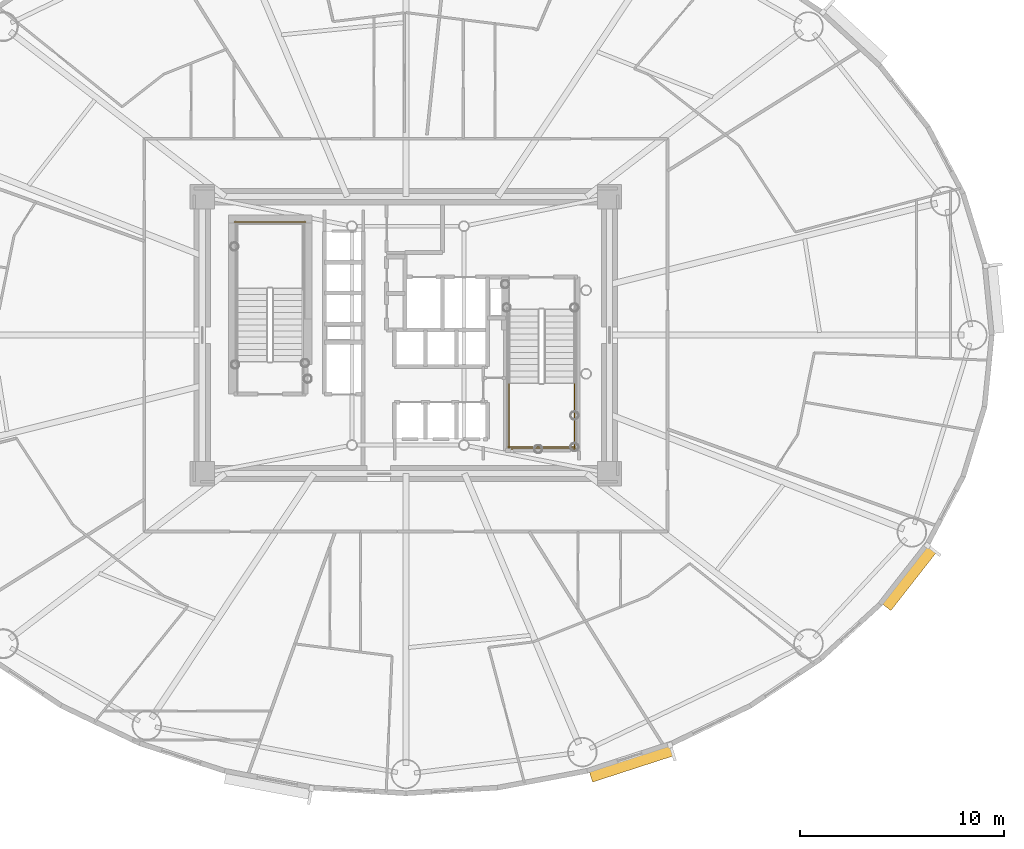
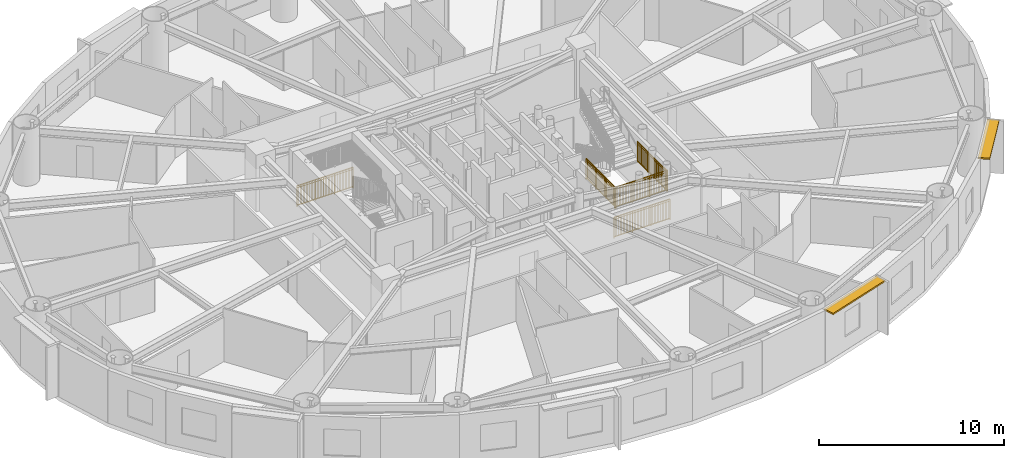
# One storey, part 16 of 19: 5 railings, 2 shading devices.
"""IFC4 building model written with IfcOpenShell, lengths in metres."""

from ifc_helpers import new_model, si_unit, direction, frame, origin, origin_2d, place, context, subcontext, project, spatial, rectangle, extrude, source, transform, mapped, material, layer, layer_set, type_object, element, save


model = new_model("IFC4")

# Units and contexts
model_context = context("Model", 3, precision=1e-05, world=origin(), true_north=direction((0.0, 1.0)))
body_context = subcontext(model_context, "Body", "Model", "MODEL_VIEW")
ifc_project = project(units=[si_unit("LENGTHUNIT", "METRE"), si_unit("AREAUNIT", "SQUARE_METRE"), si_unit("VOLUMEUNIT", "CUBIC_METRE"), si_unit("PLANEANGLEUNIT", "RADIAN"), si_unit("MASSUNIT", "GRAM", prefix="KILO")], contexts=[model_context])

# Site, building, storey
site_placement = place(None, origin())
site = spatial("IfcSite", under=ifc_project, at=site_placement, CompositionType="ELEMENT")
building_placement = place(site_placement, origin())
building = spatial("IfcBuilding", under=site, at=building_placement, Name="Linh Dai School and Residence Tower", CompositionType="ELEMENT")
storey_placement = place(building_placement, frame((0.0, 0.0, 119.699951171875)))
storey = spatial("IfcBuildingStorey", under=building, at=storey_placement, Name="L28", CompositionType="ELEMENT", Elevation=119.699951171875)

# Shading devices
ifc_material_1 = material(Name="Terracotta Ceramic Sunshade", Category="masonry")
ifc_layer = layer(ifc_material_1, 0.10009765625)
ifc_layer_set = layer_set([ifc_layer], Name="Terracotta Ceramic Sunshade")
shading_device_type = type_object("IfcShadingDeviceType", Name="SHD-TC-650", PredefinedType="USERDEFINED", material=ifc_layer_set)
shared_shape_1 = source(origin(), body_context, "Body", "SweptSolid", [
    extrude(rectangle(XDim=4.212890625, YDim=0.64990234375, at=origin_2d()), origin(), (0.0, 0.0, 1.0), 0.10009765625),
])
shading_device_1_placement = place(storey_placement, frame((47.07470703125, 6.004638671875, 3.3798828125), z_axis=(0.0, 0.0, 1.0), x_axis=(-0.951217089442, -0.308522363457, 0.0)))
element("IfcShadingDevice", 1, at=shading_device_1_placement, inside=storey, type_object=shading_device_type, Name="L28 Terracotta Horizontal Sunshade Band 33", ObjectType="SUNSHADE", PredefinedType="USERDEFINED", context=body_context, shape_type="MappedRepresentation", body=[
    mapped(shared_shape_1, transform((0.0, 0.0, 0.0), x_axis=(1.0, 0.0, 0.0), y_axis=(0.0, 1.0, 0.0), z_axis=(0.0, 0.0, 1.0), scale=1.0)),
])
shared_shape_2 = source(origin(), body_context, "Body", "SweptSolid", [
    extrude(rectangle(XDim=3.67041015625, YDim=0.64990234375, at=origin_2d()), origin(), (0.0, 0.0, 1.0), 0.10009765625),
])
shading_device_2_placement = place(storey_placement, frame((60.691650390625, 15.11328125, 3.3798828125), z_axis=(0.0, 0.0, 1.0), x_axis=(-0.616305017583, -0.787507539838, 0.0)))
element("IfcShadingDevice", 2, at=shading_device_2_placement, inside=storey, type_object=shading_device_type, Name="L28 Terracotta Horizontal Sunshade Band 37", ObjectType="SUNSHADE", PredefinedType="USERDEFINED", context=body_context, shape_type="MappedRepresentation", body=[
    mapped(shared_shape_2, transform((0.0, 0.0, 0.0), x_axis=(1.0, 0.0, 0.0), y_axis=(0.0, 1.0, 0.0), z_axis=(0.0, 0.0, 1.0), scale=1.0)),
])

# Railings
ifc_material_2 = material(Name="Structural Steel S355JR", Category="steel")
railing_type = type_object("IfcRailingType", Name="RL-ST-GUARD-1400", PredefinedType="GUARDRAIL", material=ifc_material_2)
shared_shape_3 = source(origin(), body_context, "Body", "SweptSolid", [
    extrude(rectangle(XDim=0.048095703125, YDim=0.048095703125, at=origin_2d()), frame((0.0, 0.0, 1.3759765625), z_axis=(-1.0, 0.0, 0.0), x_axis=(0.0, -1.0, 0.0)), (0.0, 0.0, 1.0), 3.5),
    extrude(rectangle(XDim=0.048095703125, YDim=0.048095703125, at=origin_2d()), frame((0.0, 0.0, 0.10009765625), z_axis=(-1.0, 0.0, 0.0), x_axis=(0.0, -1.0, 0.0)), (0.0, 0.0, 1.0), 3.5),
    extrude(rectangle(XDim=0.030029296875, YDim=0.030029296875, at=origin_2d()), frame((0.0, 0.0, 1.239990234375), z_axis=(-1.0, 0.0, 0.0), x_axis=(0.0, -1.0, 0.0)), (0.0, 0.0, 1.0), 3.5),
    extrude(rectangle(XDim=0.02001953125, YDim=0.02001953125, at=origin_2d()), frame((-0.09716796875, 0.0, 0.10009765625)), (0.0, 0.0, 1.0), 1.251708984375),
    extrude(rectangle(XDim=0.02001953125, YDim=0.02001953125, at=origin_2d()), frame((-0.1943359375, 0.0, 0.10009765625)), (0.0, 0.0, 1.0), 1.251708984375),
    extrude(rectangle(XDim=0.02001953125, YDim=0.02001953125, at=origin_2d()), frame((-0.291748046875, 0.0, 0.10009765625)), (0.0, 0.0, 1.0), 1.251708984375),
    extrude(rectangle(XDim=0.02001953125, YDim=0.02001953125, at=origin_2d()), frame((-0.388916015625, 0.0, 0.10009765625)), (0.0, 0.0, 1.0), 1.251708984375),
    extrude(rectangle(XDim=0.02001953125, YDim=0.02001953125, at=origin_2d()), frame((-0.486083984375, 0.0, 0.10009765625)), (0.0, 0.0, 1.0), 1.251708984375),
    extrude(rectangle(XDim=0.02001953125, YDim=0.02001953125, at=origin_2d()), frame((-0.583251953125, 0.0, 0.10009765625)), (0.0, 0.0, 1.0), 1.251708984375),
    extrude(rectangle(XDim=0.02001953125, YDim=0.02001953125, at=origin_2d()), frame((-0.6806640625, 0.0, 0.10009765625)), (0.0, 0.0, 1.0), 1.251708984375),
    extrude(rectangle(XDim=0.02001953125, YDim=0.02001953125, at=origin_2d()), frame((-0.77783203125, 0.0, 0.10009765625)), (0.0, 0.0, 1.0), 1.251708984375),
    extrude(rectangle(XDim=0.02001953125, YDim=0.02001953125, at=origin_2d()), frame((-0.875, 0.0, 0.10009765625)), (0.0, 0.0, 1.0), 1.251708984375),
    extrude(rectangle(XDim=0.02001953125, YDim=0.02001953125, at=origin_2d()), frame((-0.97216796875, 0.0, 0.10009765625)), (0.0, 0.0, 1.0), 1.251708984375),
    extrude(rectangle(XDim=0.02001953125, YDim=0.02001953125, at=origin_2d()), frame((-1.0693359375, 0.0, 0.10009765625)), (0.0, 0.0, 1.0), 1.251708984375),
    extrude(rectangle(XDim=0.02001953125, YDim=0.02001953125, at=origin_2d()), frame((-1.263916015625, 0.0, 0.10009765625)), (0.0, 0.0, 1.0), 1.251708984375),
    extrude(rectangle(XDim=0.02001953125, YDim=0.02001953125, at=origin_2d()), frame((-1.361083984375, 0.0, 0.10009765625)), (0.0, 0.0, 1.0), 1.251708984375),
    extrude(rectangle(XDim=0.02001953125, YDim=0.02001953125, at=origin_2d()), frame((-1.458251953125, 0.0, 0.10009765625)), (0.0, 0.0, 1.0), 1.251708984375),
    extrude(rectangle(XDim=0.02001953125, YDim=0.02001953125, at=origin_2d()), frame((-1.5556640625, 0.0, 0.10009765625)), (0.0, 0.0, 1.0), 1.251708984375),
    extrude(rectangle(XDim=0.02001953125, YDim=0.02001953125, at=origin_2d()), frame((-1.65283203125, 0.0, 0.10009765625)), (0.0, 0.0, 1.0), 1.251708984375),
    extrude(rectangle(XDim=0.02001953125, YDim=0.02001953125, at=origin_2d()), frame((-1.75, 0.0, 0.10009765625)), (0.0, 0.0, 1.0), 1.251708984375),
    extrude(rectangle(XDim=0.02001953125, YDim=0.02001953125, at=origin_2d()), frame((-1.84716796875, 0.0, 0.10009765625)), (0.0, 0.0, 1.0), 1.251708984375),
    extrude(rectangle(XDim=0.02001953125, YDim=0.02001953125, at=origin_2d()), frame((-1.9443359375, 0.0, 0.10009765625)), (0.0, 0.0, 1.0), 1.251708984375),
    extrude(rectangle(XDim=0.02001953125, YDim=0.02001953125, at=origin_2d()), frame((-2.041748046875, 0.0, 0.10009765625)), (0.0, 0.0, 1.0), 1.251708984375),
    extrude(rectangle(XDim=0.02001953125, YDim=0.02001953125, at=origin_2d()), frame((-2.138916015625, 0.0, 0.10009765625)), (0.0, 0.0, 1.0), 1.251708984375),
    extrude(rectangle(XDim=0.02001953125, YDim=0.02001953125, at=origin_2d()), frame((-2.236083984375, 0.0, 0.10009765625)), (0.0, 0.0, 1.0), 1.251708984375),
    extrude(rectangle(XDim=0.02001953125, YDim=0.02001953125, at=origin_2d()), frame((-2.4306640625, 0.0, 0.10009765625)), (0.0, 0.0, 1.0), 1.251708984375),
    extrude(rectangle(XDim=0.02001953125, YDim=0.02001953125, at=origin_2d()), frame((-2.52783203125, 0.0, 0.10009765625)), (0.0, 0.0, 1.0), 1.251708984375),
    extrude(rectangle(XDim=0.02001953125, YDim=0.02001953125, at=origin_2d()), frame((-2.625, 0.0, 0.10009765625)), (0.0, 0.0, 1.0), 1.251708984375),
    extrude(rectangle(XDim=0.02001953125, YDim=0.02001953125, at=origin_2d()), frame((-2.72216796875, 0.0, 0.10009765625)), (0.0, 0.0, 1.0), 1.251708984375),
    extrude(rectangle(XDim=0.02001953125, YDim=0.02001953125, at=origin_2d()), frame((-2.8193359375, 0.0, 0.10009765625)), (0.0, 0.0, 1.0), 1.251708984375),
    extrude(rectangle(XDim=0.02001953125, YDim=0.02001953125, at=origin_2d()), frame((-2.916748046875, 0.0, 0.10009765625)), (0.0, 0.0, 1.0), 1.251708984375),
    extrude(rectangle(XDim=0.02001953125, YDim=0.02001953125, at=origin_2d()), frame((-3.013916015625, 0.0, 0.10009765625)), (0.0, 0.0, 1.0), 1.251708984375),
    extrude(rectangle(XDim=0.02001953125, YDim=0.02001953125, at=origin_2d()), frame((-3.111083984375, 0.0, 0.10009765625)), (0.0, 0.0, 1.0), 1.251708984375),
    extrude(rectangle(XDim=0.02001953125, YDim=0.02001953125, at=origin_2d()), frame((-3.208251953125, 0.0, 0.10009765625)), (0.0, 0.0, 1.0), 1.251708984375),
    extrude(rectangle(XDim=0.02001953125, YDim=0.02001953125, at=origin_2d()), frame((-3.3056640625, 0.0, 0.10009765625)), (0.0, 0.0, 1.0), 1.251708984375),
    extrude(rectangle(XDim=0.02001953125, YDim=0.02001953125, at=origin_2d()), frame((-3.40283203125, 0.0, 0.10009765625)), (0.0, 0.0, 1.0), 1.251708984375),
    extrude(rectangle(XDim=0.0419921875, YDim=0.0419921875, at=origin_2d()), origin(), (0.0, 0.0, 1.0), 1.3759765625),
    extrude(rectangle(XDim=0.0419921875, YDim=0.0419921875, at=origin_2d()), frame((-1.166748046875, 0.0, 0.0)), (0.0, 0.0, 1.0), 1.3759765625),
    extrude(rectangle(XDim=0.0419921875, YDim=0.0419921875, at=origin_2d()), frame((-2.333251953125, 0.0, 0.0)), (0.0, 0.0, 1.0), 1.3759765625),
    extrude(rectangle(XDim=0.0419921875, YDim=0.0419921875, at=origin_2d()), frame((-3.5, 0.0, 0.0)), (0.0, 0.0, 1.0), 1.3759765625),
])
railing_1_placement = place(storey_placement, frame((31.080078125, 32.550048828125, 0.0)))
element("IfcRailing", 3, at=railing_1_placement, inside=storey, type_object=railing_type, Name="L28 ST1 stair guard 12", PredefinedType="GUARDRAIL", context=body_context, shape_type="MappedRepresentation", body=[
    mapped(shared_shape_3, transform((0.0, 0.0, 0.0), x_axis=(1.0, 0.0, 0.0), y_axis=(0.0, 1.0, 0.0), z_axis=(0.0, 0.0, 1.0), scale=1.0)),
])
shared_shape_4 = source(origin(), body_context, "Body", "SweptSolid", [
    extrude(rectangle(XDim=0.048095703125, YDim=0.048095703125, at=origin_2d()), frame((0.0, 0.0, 1.3759765625), z_axis=(1.0, 0.0, 0.0), x_axis=(0.0, 1.0, 0.0)), (0.0, 0.0, 1.0), 3.300048828125),
    extrude(rectangle(XDim=0.048095703125, YDim=0.048095703125, at=origin_2d()), frame((0.0, 0.0, 0.10009765625), z_axis=(1.0, 0.0, 0.0), x_axis=(0.0, 1.0, 0.0)), (0.0, 0.0, 1.0), 3.300048828125),
    extrude(rectangle(XDim=0.030029296875, YDim=0.030029296875, at=origin_2d()), frame((0.0, 0.0, 1.239990234375), z_axis=(1.0, 0.0, 0.0), x_axis=(0.0, 1.0, 0.0)), (0.0, 0.0, 1.0), 3.300048828125),
    extrude(rectangle(XDim=0.02001953125, YDim=0.02001953125, at=origin_2d()), frame((0.09716796875, 0.0, 0.10009765625)), (0.0, 0.0, 1.0), 1.251708984375),
    extrude(rectangle(XDim=0.02001953125, YDim=0.02001953125, at=origin_2d()), frame((0.194091796875, 0.0, 0.10009765625)), (0.0, 0.0, 1.0), 1.251708984375),
    extrude(rectangle(XDim=0.02001953125, YDim=0.02001953125, at=origin_2d()), frame((0.291259765625, 0.0, 0.10009765625)), (0.0, 0.0, 1.0), 1.251708984375),
    extrude(rectangle(XDim=0.02001953125, YDim=0.02001953125, at=origin_2d()), frame((0.38818359375, 0.0, 0.10009765625)), (0.0, 0.0, 1.0), 1.251708984375),
    extrude(rectangle(XDim=0.02001953125, YDim=0.02001953125, at=origin_2d()), frame((0.4853515625, 0.0, 0.10009765625)), (0.0, 0.0, 1.0), 1.251708984375),
    extrude(rectangle(XDim=0.02001953125, YDim=0.02001953125, at=origin_2d()), frame((0.582275390625, 0.0, 0.10009765625)), (0.0, 0.0, 1.0), 1.251708984375),
    extrude(rectangle(XDim=0.02001953125, YDim=0.02001953125, at=origin_2d()), frame((0.679443359375, 0.0, 0.10009765625)), (0.0, 0.0, 1.0), 1.251708984375),
    extrude(rectangle(XDim=0.02001953125, YDim=0.02001953125, at=origin_2d()), frame((0.7763671875, 0.0, 0.10009765625)), (0.0, 0.0, 1.0), 1.251708984375),
    extrude(rectangle(XDim=0.02001953125, YDim=0.02001953125, at=origin_2d()), frame((0.87353515625, 0.0, 0.10009765625)), (0.0, 0.0, 1.0), 1.251708984375),
    extrude(rectangle(XDim=0.02001953125, YDim=0.02001953125, at=origin_2d()), frame((0.970703125, 0.0, 0.10009765625)), (0.0, 0.0, 1.0), 1.251708984375),
    extrude(rectangle(XDim=0.02001953125, YDim=0.02001953125, at=origin_2d()), frame((1.164794921875, 0.0, 0.10009765625)), (0.0, 0.0, 1.0), 1.251708984375),
    extrude(rectangle(XDim=0.02001953125, YDim=0.02001953125, at=origin_2d()), frame((1.26171875, 0.0, 0.10009765625)), (0.0, 0.0, 1.0), 1.251708984375),
    extrude(rectangle(XDim=0.02001953125, YDim=0.02001953125, at=origin_2d()), frame((1.35888671875, 0.0, 0.10009765625)), (0.0, 0.0, 1.0), 1.251708984375),
    extrude(rectangle(XDim=0.02001953125, YDim=0.02001953125, at=origin_2d()), frame((1.455810546875, 0.0, 0.10009765625)), (0.0, 0.0, 1.0), 1.251708984375),
    extrude(rectangle(XDim=0.02001953125, YDim=0.02001953125, at=origin_2d()), frame((1.552978515625, 0.0, 0.10009765625)), (0.0, 0.0, 1.0), 1.251708984375),
    extrude(rectangle(XDim=0.02001953125, YDim=0.02001953125, at=origin_2d()), frame((1.64990234375, 0.0, 0.10009765625)), (0.0, 0.0, 1.0), 1.251708984375),
    extrude(rectangle(XDim=0.02001953125, YDim=0.02001953125, at=origin_2d()), frame((1.7470703125, 0.0, 0.10009765625)), (0.0, 0.0, 1.0), 1.251708984375),
    extrude(rectangle(XDim=0.02001953125, YDim=0.02001953125, at=origin_2d()), frame((1.84423828125, 0.0, 0.10009765625)), (0.0, 0.0, 1.0), 1.251708984375),
    extrude(rectangle(XDim=0.02001953125, YDim=0.02001953125, at=origin_2d()), frame((1.941162109375, 0.0, 0.10009765625)), (0.0, 0.0, 1.0), 1.251708984375),
    extrude(rectangle(XDim=0.02001953125, YDim=0.02001953125, at=origin_2d()), frame((2.038330078125, 0.0, 0.10009765625)), (0.0, 0.0, 1.0), 1.251708984375),
    extrude(rectangle(XDim=0.02001953125, YDim=0.02001953125, at=origin_2d()), frame((2.13525390625, 0.0, 0.10009765625)), (0.0, 0.0, 1.0), 1.251708984375),
    extrude(rectangle(XDim=0.02001953125, YDim=0.02001953125, at=origin_2d()), frame((2.329345703125, 0.0, 0.10009765625)), (0.0, 0.0, 1.0), 1.251708984375),
    extrude(rectangle(XDim=0.02001953125, YDim=0.02001953125, at=origin_2d()), frame((2.426513671875, 0.0, 0.10009765625)), (0.0, 0.0, 1.0), 1.251708984375),
    extrude(rectangle(XDim=0.02001953125, YDim=0.02001953125, at=origin_2d()), frame((2.523681640625, 0.0, 0.10009765625)), (0.0, 0.0, 1.0), 1.251708984375),
    extrude(rectangle(XDim=0.02001953125, YDim=0.02001953125, at=origin_2d()), frame((2.62060546875, 0.0, 0.10009765625)), (0.0, 0.0, 1.0), 1.251708984375),
    extrude(rectangle(XDim=0.02001953125, YDim=0.02001953125, at=origin_2d()), frame((2.7177734375, 0.0, 0.10009765625)), (0.0, 0.0, 1.0), 1.251708984375),
    extrude(rectangle(XDim=0.02001953125, YDim=0.02001953125, at=origin_2d()), frame((2.814697265625, 0.0, 0.10009765625)), (0.0, 0.0, 1.0), 1.251708984375),
    extrude(rectangle(XDim=0.02001953125, YDim=0.02001953125, at=origin_2d()), frame((2.911865234375, 0.0, 0.10009765625)), (0.0, 0.0, 1.0), 1.251708984375),
    extrude(rectangle(XDim=0.02001953125, YDim=0.02001953125, at=origin_2d()), frame((3.0087890625, 0.0, 0.10009765625)), (0.0, 0.0, 1.0), 1.251708984375),
    extrude(rectangle(XDim=0.02001953125, YDim=0.02001953125, at=origin_2d()), frame((3.10595703125, 0.0, 0.10009765625)), (0.0, 0.0, 1.0), 1.251708984375),
    extrude(rectangle(XDim=0.02001953125, YDim=0.02001953125, at=origin_2d()), frame((3.202880859375, 0.0, 0.10009765625)), (0.0, 0.0, 1.0), 1.251708984375),
    extrude(rectangle(XDim=0.0419921875, YDim=0.0419921875, at=origin_2d()), origin(), (0.0, 0.0, 1.0), 1.3759765625),
    extrude(rectangle(XDim=0.0419921875, YDim=0.0419921875, at=origin_2d()), frame((1.10009765625, 0.0, 0.0)), (0.0, 0.0, 1.0), 1.3759765625),
    extrude(rectangle(XDim=0.0419921875, YDim=0.0419921875, at=origin_2d()), frame((2.199951171875, 0.0, 0.0)), (0.0, 0.0, 1.0), 1.3759765625),
    extrude(rectangle(XDim=0.0419921875, YDim=0.0419921875, at=origin_2d()), frame((3.300048828125, 0.0, 0.0)), (0.0, 0.0, 1.0), 1.3759765625),
])
railing_2_placement = place(storey_placement, frame((41.02001953125, 21.5, 1.875)))
element("IfcRailing", 4, at=railing_2_placement, inside=storey, type_object=railing_type, Name="L28 ST2 stair guard 5", PredefinedType="GUARDRAIL", context=body_context, shape_type="MappedRepresentation", body=[
    mapped(shared_shape_4, transform((0.0, 0.0, 0.0), x_axis=(1.0, 0.0, 0.0), y_axis=(0.0, 1.0, 0.0), z_axis=(0.0, 0.0, 1.0), scale=1.0)),
])
shared_shape_5 = source(origin(), body_context, "Body", "SweptSolid", [
    extrude(rectangle(XDim=0.048095703125, YDim=0.048095703125, at=origin_2d()), frame((0.0, 0.0, 1.3759765625), z_axis=(1.0, 0.0, 0.0), x_axis=(0.0, 1.0, 0.0)), (0.0, 0.0, 1.0), 3.5),
    extrude(rectangle(XDim=0.048095703125, YDim=0.048095703125, at=origin_2d()), frame((0.0, 0.0, 0.10009765625), z_axis=(1.0, 0.0, 0.0), x_axis=(0.0, 1.0, 0.0)), (0.0, 0.0, 1.0), 3.5),
    extrude(rectangle(XDim=0.030029296875, YDim=0.030029296875, at=origin_2d()), frame((0.0, 0.0, 1.239990234375), z_axis=(1.0, 0.0, 0.0), x_axis=(0.0, 1.0, 0.0)), (0.0, 0.0, 1.0), 3.5),
    extrude(rectangle(XDim=0.02001953125, YDim=0.02001953125, at=origin_2d()), frame((0.09716796875, 0.0, 0.10009765625)), (0.0, 0.0, 1.0), 1.251708984375),
    extrude(rectangle(XDim=0.02001953125, YDim=0.02001953125, at=origin_2d()), frame((0.1943359375, 0.0, 0.10009765625)), (0.0, 0.0, 1.0), 1.251708984375),
    extrude(rectangle(XDim=0.02001953125, YDim=0.02001953125, at=origin_2d()), frame((0.291748046875, 0.0, 0.10009765625)), (0.0, 0.0, 1.0), 1.251708984375),
    extrude(rectangle(XDim=0.02001953125, YDim=0.02001953125, at=origin_2d()), frame((0.388916015625, 0.0, 0.10009765625)), (0.0, 0.0, 1.0), 1.251708984375),
    extrude(rectangle(XDim=0.02001953125, YDim=0.02001953125, at=origin_2d()), frame((0.486083984375, 0.0, 0.10009765625)), (0.0, 0.0, 1.0), 1.251708984375),
    extrude(rectangle(XDim=0.02001953125, YDim=0.02001953125, at=origin_2d()), frame((0.583251953125, 0.0, 0.10009765625)), (0.0, 0.0, 1.0), 1.251708984375),
    extrude(rectangle(XDim=0.02001953125, YDim=0.02001953125, at=origin_2d()), frame((0.6806640625, 0.0, 0.10009765625)), (0.0, 0.0, 1.0), 1.251708984375),
    extrude(rectangle(XDim=0.02001953125, YDim=0.02001953125, at=origin_2d()), frame((0.77783203125, 0.0, 0.10009765625)), (0.0, 0.0, 1.0), 1.251708984375),
    extrude(rectangle(XDim=0.02001953125, YDim=0.02001953125, at=origin_2d()), frame((0.875, 0.0, 0.10009765625)), (0.0, 0.0, 1.0), 1.251708984375),
    extrude(rectangle(XDim=0.02001953125, YDim=0.02001953125, at=origin_2d()), frame((0.97216796875, 0.0, 0.10009765625)), (0.0, 0.0, 1.0), 1.251708984375),
    extrude(rectangle(XDim=0.02001953125, YDim=0.02001953125, at=origin_2d()), frame((1.0693359375, 0.0, 0.10009765625)), (0.0, 0.0, 1.0), 1.251708984375),
    extrude(rectangle(XDim=0.02001953125, YDim=0.02001953125, at=origin_2d()), frame((1.263916015625, 0.0, 0.10009765625)), (0.0, 0.0, 1.0), 1.251708984375),
    extrude(rectangle(XDim=0.02001953125, YDim=0.02001953125, at=origin_2d()), frame((1.361083984375, 0.0, 0.10009765625)), (0.0, 0.0, 1.0), 1.251708984375),
    extrude(rectangle(XDim=0.02001953125, YDim=0.02001953125, at=origin_2d()), frame((1.458251953125, 0.0, 0.10009765625)), (0.0, 0.0, 1.0), 1.251708984375),
    extrude(rectangle(XDim=0.02001953125, YDim=0.02001953125, at=origin_2d()), frame((1.5556640625, 0.0, 0.10009765625)), (0.0, 0.0, 1.0), 1.251708984375),
    extrude(rectangle(XDim=0.02001953125, YDim=0.02001953125, at=origin_2d()), frame((1.65283203125, 0.0, 0.10009765625)), (0.0, 0.0, 1.0), 1.251708984375),
    extrude(rectangle(XDim=0.02001953125, YDim=0.02001953125, at=origin_2d()), frame((1.75, 0.0, 0.10009765625)), (0.0, 0.0, 1.0), 1.251708984375),
    extrude(rectangle(XDim=0.02001953125, YDim=0.02001953125, at=origin_2d()), frame((1.84716796875, 0.0, 0.10009765625)), (0.0, 0.0, 1.0), 1.251708984375),
    extrude(rectangle(XDim=0.02001953125, YDim=0.02001953125, at=origin_2d()), frame((1.9443359375, 0.0, 0.10009765625)), (0.0, 0.0, 1.0), 1.251708984375),
    extrude(rectangle(XDim=0.02001953125, YDim=0.02001953125, at=origin_2d()), frame((2.041748046875, 0.0, 0.10009765625)), (0.0, 0.0, 1.0), 1.251708984375),
    extrude(rectangle(XDim=0.02001953125, YDim=0.02001953125, at=origin_2d()), frame((2.138916015625, 0.0, 0.10009765625)), (0.0, 0.0, 1.0), 1.251708984375),
    extrude(rectangle(XDim=0.02001953125, YDim=0.02001953125, at=origin_2d()), frame((2.236083984375, 0.0, 0.10009765625)), (0.0, 0.0, 1.0), 1.251708984375),
    extrude(rectangle(XDim=0.02001953125, YDim=0.02001953125, at=origin_2d()), frame((2.4306640625, 0.0, 0.10009765625)), (0.0, 0.0, 1.0), 1.251708984375),
    extrude(rectangle(XDim=0.02001953125, YDim=0.02001953125, at=origin_2d()), frame((2.52783203125, 0.0, 0.10009765625)), (0.0, 0.0, 1.0), 1.251708984375),
    extrude(rectangle(XDim=0.02001953125, YDim=0.02001953125, at=origin_2d()), frame((2.625, 0.0, 0.10009765625)), (0.0, 0.0, 1.0), 1.251708984375),
    extrude(rectangle(XDim=0.02001953125, YDim=0.02001953125, at=origin_2d()), frame((2.72216796875, 0.0, 0.10009765625)), (0.0, 0.0, 1.0), 1.251708984375),
    extrude(rectangle(XDim=0.02001953125, YDim=0.02001953125, at=origin_2d()), frame((2.8193359375, 0.0, 0.10009765625)), (0.0, 0.0, 1.0), 1.251708984375),
    extrude(rectangle(XDim=0.02001953125, YDim=0.02001953125, at=origin_2d()), frame((2.916748046875, 0.0, 0.10009765625)), (0.0, 0.0, 1.0), 1.251708984375),
    extrude(rectangle(XDim=0.02001953125, YDim=0.02001953125, at=origin_2d()), frame((3.013916015625, 0.0, 0.10009765625)), (0.0, 0.0, 1.0), 1.251708984375),
    extrude(rectangle(XDim=0.02001953125, YDim=0.02001953125, at=origin_2d()), frame((3.111083984375, 0.0, 0.10009765625)), (0.0, 0.0, 1.0), 1.251708984375),
    extrude(rectangle(XDim=0.02001953125, YDim=0.02001953125, at=origin_2d()), frame((3.208251953125, 0.0, 0.10009765625)), (0.0, 0.0, 1.0), 1.251708984375),
    extrude(rectangle(XDim=0.02001953125, YDim=0.02001953125, at=origin_2d()), frame((3.3056640625, 0.0, 0.10009765625)), (0.0, 0.0, 1.0), 1.251708984375),
    extrude(rectangle(XDim=0.02001953125, YDim=0.02001953125, at=origin_2d()), frame((3.40283203125, 0.0, 0.10009765625)), (0.0, 0.0, 1.0), 1.251708984375),
    extrude(rectangle(XDim=0.0419921875, YDim=0.0419921875, at=origin_2d()), origin(), (0.0, 0.0, 1.0), 1.3759765625),
    extrude(rectangle(XDim=0.0419921875, YDim=0.0419921875, at=origin_2d()), frame((1.166748046875, 0.0, 0.0)), (0.0, 0.0, 1.0), 1.3759765625),
    extrude(rectangle(XDim=0.0419921875, YDim=0.0419921875, at=origin_2d()), frame((2.333251953125, 0.0, 0.0)), (0.0, 0.0, 1.0), 1.3759765625),
    extrude(rectangle(XDim=0.0419921875, YDim=0.0419921875, at=origin_2d()), frame((3.5, 0.0, 0.0)), (0.0, 0.0, 1.0), 1.3759765625),
])
railing_3_placement = place(storey_placement, frame((40.919921875, 21.39990234375, 0.0)))
element("IfcRailing", 5, at=railing_3_placement, inside=storey, type_object=railing_type, Name="L28 ST2 stair guard 12", PredefinedType="GUARDRAIL", context=body_context, shape_type="MappedRepresentation", body=[
    mapped(shared_shape_5, transform((0.0, 0.0, 0.0), x_axis=(1.0, 0.0, 0.0), y_axis=(0.0, 1.0, 0.0), z_axis=(0.0, 0.0, 1.0), scale=1.0)),
])
shared_shape_6 = source(origin(), body_context, "Body", "SweptSolid", [
    extrude(rectangle(XDim=0.048095703125, YDim=0.048095703125, at=origin_2d()), frame((0.0, 0.0, 1.3759765625), z_axis=(0.0, -1.0, 0.0), x_axis=(1.0, 0.0, 0.0)), (0.0, 0.0, 1.0), 3.199951171875),
    extrude(rectangle(XDim=0.048095703125, YDim=0.048095703125, at=origin_2d()), frame((0.0, 0.0, 0.10009765625), z_axis=(0.0, -1.0, 0.0), x_axis=(1.0, 0.0, 0.0)), (0.0, 0.0, 1.0), 3.199951171875),
    extrude(rectangle(XDim=0.030029296875, YDim=0.030029296875, at=origin_2d()), frame((0.0, 0.0, 1.239990234375), z_axis=(0.0, -1.0, 0.0), x_axis=(1.0, 0.0, 0.0)), (0.0, 0.0, 1.0), 3.199951171875),
    extrude(rectangle(XDim=0.02001953125, YDim=0.02001953125, at=origin_2d()), frame((0.0, -0.096923828125, 0.10009765625)), (0.0, 0.0, 1.0), 1.251708984375),
    extrude(rectangle(XDim=0.02001953125, YDim=0.02001953125, at=origin_2d()), frame((0.0, -0.19384765625, 0.10009765625)), (0.0, 0.0, 1.0), 1.251708984375),
    extrude(rectangle(XDim=0.02001953125, YDim=0.02001953125, at=origin_2d()), frame((0.0, -0.291015625, 0.10009765625)), (0.0, 0.0, 1.0), 1.251708984375),
    extrude(rectangle(XDim=0.02001953125, YDim=0.02001953125, at=origin_2d()), frame((0.0, -0.387939453125, 0.10009765625)), (0.0, 0.0, 1.0), 1.251708984375),
    extrude(rectangle(XDim=0.02001953125, YDim=0.02001953125, at=origin_2d()), frame((0.0, -0.48486328125, 0.10009765625)), (0.0, 0.0, 1.0), 1.251708984375),
    extrude(rectangle(XDim=0.02001953125, YDim=0.02001953125, at=origin_2d()), frame((0.0, -0.581787109375, 0.10009765625)), (0.0, 0.0, 1.0), 1.251708984375),
    extrude(rectangle(XDim=0.02001953125, YDim=0.02001953125, at=origin_2d()), frame((0.0, -0.6787109375, 0.10009765625)), (0.0, 0.0, 1.0), 1.251708984375),
    extrude(rectangle(XDim=0.02001953125, YDim=0.02001953125, at=origin_2d()), frame((0.0, -0.775634765625, 0.10009765625)), (0.0, 0.0, 1.0), 1.251708984375),
    extrude(rectangle(XDim=0.02001953125, YDim=0.02001953125, at=origin_2d()), frame((0.0, -0.872802734375, 0.10009765625)), (0.0, 0.0, 1.0), 1.251708984375),
    extrude(rectangle(XDim=0.02001953125, YDim=0.02001953125, at=origin_2d()), frame((0.0, -0.9697265625, 0.10009765625)), (0.0, 0.0, 1.0), 1.251708984375),
    extrude(rectangle(XDim=0.02001953125, YDim=0.02001953125, at=origin_2d()), frame((0.0, -1.16357421875, 0.10009765625)), (0.0, 0.0, 1.0), 1.251708984375),
    extrude(rectangle(XDim=0.02001953125, YDim=0.02001953125, at=origin_2d()), frame((0.0, -1.260498046875, 0.10009765625)), (0.0, 0.0, 1.0), 1.251708984375),
    extrude(rectangle(XDim=0.02001953125, YDim=0.02001953125, at=origin_2d()), frame((0.0, -1.357666015625, 0.10009765625)), (0.0, 0.0, 1.0), 1.251708984375),
    extrude(rectangle(XDim=0.02001953125, YDim=0.02001953125, at=origin_2d()), frame((0.0, -1.45458984375, 0.10009765625)), (0.0, 0.0, 1.0), 1.251708984375),
    extrude(rectangle(XDim=0.02001953125, YDim=0.02001953125, at=origin_2d()), frame((0.0, -1.551513671875, 0.10009765625)), (0.0, 0.0, 1.0), 1.251708984375),
    extrude(rectangle(XDim=0.02001953125, YDim=0.02001953125, at=origin_2d()), frame((0.0, -1.6484375, 0.10009765625)), (0.0, 0.0, 1.0), 1.251708984375),
    extrude(rectangle(XDim=0.02001953125, YDim=0.02001953125, at=origin_2d()), frame((0.0, -1.745361328125, 0.10009765625)), (0.0, 0.0, 1.0), 1.251708984375),
    extrude(rectangle(XDim=0.02001953125, YDim=0.02001953125, at=origin_2d()), frame((0.0, -1.84228515625, 0.10009765625)), (0.0, 0.0, 1.0), 1.251708984375),
    extrude(rectangle(XDim=0.02001953125, YDim=0.02001953125, at=origin_2d()), frame((0.0, -1.939453125, 0.10009765625)), (0.0, 0.0, 1.0), 1.251708984375),
    extrude(rectangle(XDim=0.02001953125, YDim=0.02001953125, at=origin_2d()), frame((0.0, -2.036376953125, 0.10009765625)), (0.0, 0.0, 1.0), 1.251708984375),
    extrude(rectangle(XDim=0.02001953125, YDim=0.02001953125, at=origin_2d()), frame((0.0, -2.230224609375, 0.10009765625)), (0.0, 0.0, 1.0), 1.251708984375),
    extrude(rectangle(XDim=0.02001953125, YDim=0.02001953125, at=origin_2d()), frame((0.0, -2.3271484375, 0.10009765625)), (0.0, 0.0, 1.0), 1.251708984375),
    extrude(rectangle(XDim=0.02001953125, YDim=0.02001953125, at=origin_2d()), frame((0.0, -2.42431640625, 0.10009765625)), (0.0, 0.0, 1.0), 1.251708984375),
    extrude(rectangle(XDim=0.02001953125, YDim=0.02001953125, at=origin_2d()), frame((0.0, -2.521240234375, 0.10009765625)), (0.0, 0.0, 1.0), 1.251708984375),
    extrude(rectangle(XDim=0.02001953125, YDim=0.02001953125, at=origin_2d()), frame((0.0, -2.6181640625, 0.10009765625)), (0.0, 0.0, 1.0), 1.251708984375),
    extrude(rectangle(XDim=0.02001953125, YDim=0.02001953125, at=origin_2d()), frame((0.0, -2.715087890625, 0.10009765625)), (0.0, 0.0, 1.0), 1.251708984375),
    extrude(rectangle(XDim=0.02001953125, YDim=0.02001953125, at=origin_2d()), frame((0.0, -2.81201171875, 0.10009765625)), (0.0, 0.0, 1.0), 1.251708984375),
    extrude(rectangle(XDim=0.02001953125, YDim=0.02001953125, at=origin_2d()), frame((0.0, -2.908935546875, 0.10009765625)), (0.0, 0.0, 1.0), 1.251708984375),
    extrude(rectangle(XDim=0.02001953125, YDim=0.02001953125, at=origin_2d()), frame((0.0, -3.006103515625, 0.10009765625)), (0.0, 0.0, 1.0), 1.251708984375),
    extrude(rectangle(XDim=0.02001953125, YDim=0.02001953125, at=origin_2d()), frame((0.0, -3.10302734375, 0.10009765625)), (0.0, 0.0, 1.0), 1.251708984375),
    extrude(rectangle(XDim=0.0419921875, YDim=0.0419921875, at=origin_2d()), origin(), (0.0, 0.0, 1.0), 1.3759765625),
    extrude(rectangle(XDim=0.0419921875, YDim=0.0419921875, at=origin_2d()), frame((0.0, -1.066650390625, 0.0)), (0.0, 0.0, 1.0), 1.3759765625),
    extrude(rectangle(XDim=0.0419921875, YDim=0.0419921875, at=origin_2d()), frame((0.0, -2.13330078125, 0.0)), (0.0, 0.0, 1.0), 1.3759765625),
    extrude(rectangle(XDim=0.0419921875, YDim=0.0419921875, at=origin_2d()), frame((0.0, -3.199951171875, 0.0)), (0.0, 0.0, 1.0), 1.3759765625),
])
for number, where, name in (
    (6, (41.070068359375, 24.64990234375, 1.875), "L28 ST2 stair guard 3"),
    (7, (44.27001953125, 24.64990234375, 1.875), "L28 ST2 stair guard 4"),
):
    element("IfcRailing", number, at=place(storey_placement, frame(where)), inside=storey, type_object=railing_type, Name=name, PredefinedType="GUARDRAIL", context=body_context, shape_type="MappedRepresentation", body=[
        mapped(shared_shape_6, transform((0.0, 0.0, 0.0), x_axis=(1.0, 0.0, 0.0), y_axis=(0.0, 1.0, 0.0), z_axis=(0.0, 0.0, 1.0), scale=1.0)),
    ])

save(model, "model.ifc")
